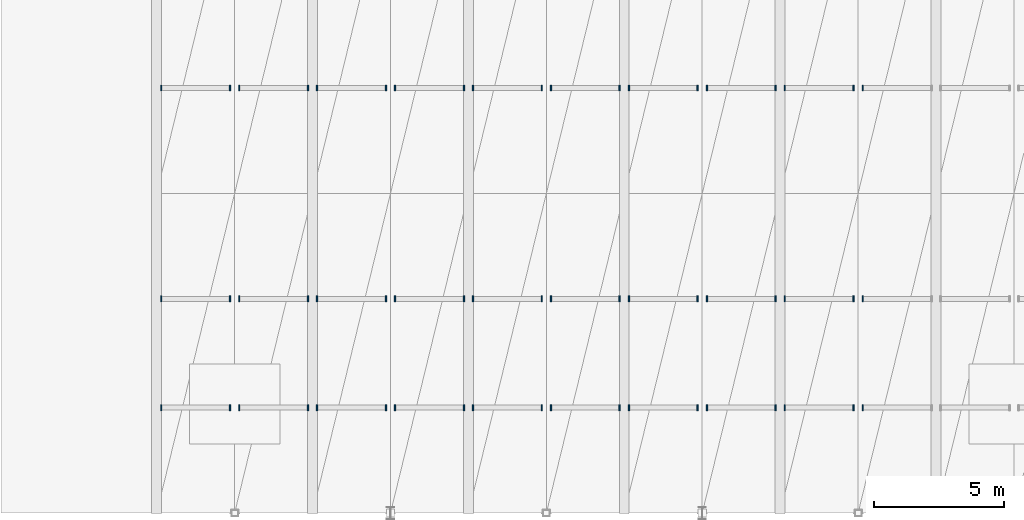
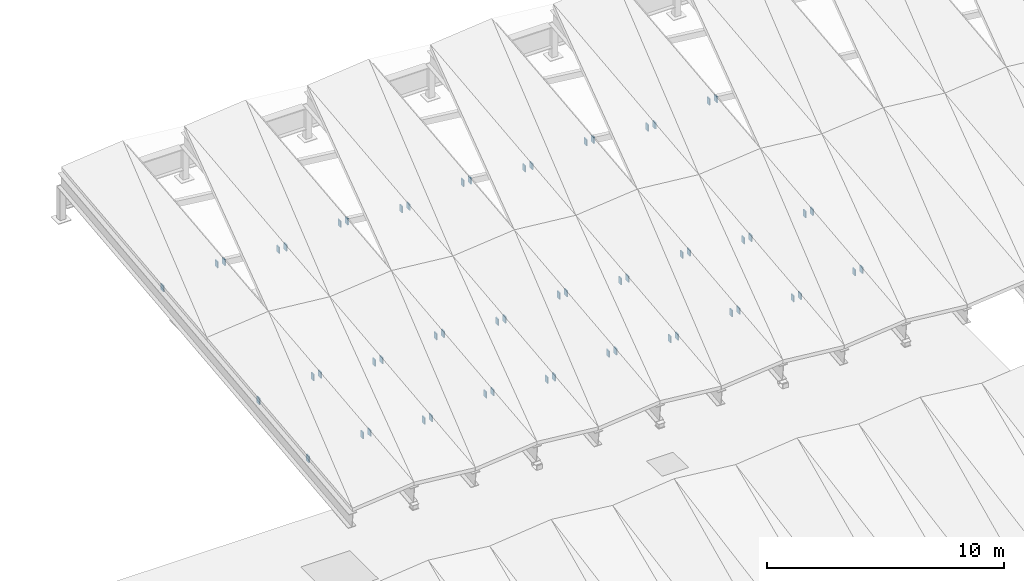
# One storey, part 48 of 52: 57 discrete accessories.
"""IFC4 building model written with IfcOpenShell, lengths in metres."""

from ifc_helpers import new_model, si_unit, direction, frame, origin, origin_2d, place, context, subcontext, project, spatial, rectangle, extrude, material, layer, layer_set, type_object, element, save


model = new_model("IFC4")

# Units and contexts
model_context = context("Model", 3, precision=1e-05, world=origin(), true_north=direction((0.0, 1.0)))
body_context = subcontext(model_context, "Body", "Model", "MODEL_VIEW")
ifc_project = project(units=[si_unit("LENGTHUNIT", "METRE"), si_unit("AREAUNIT", "SQUARE_METRE"), si_unit("VOLUMEUNIT", "CUBIC_METRE"), si_unit("PLANEANGLEUNIT", "RADIAN"), si_unit("MASSUNIT", "GRAM", prefix="KILO")], contexts=[model_context])

# Site, building, storey
site_placement = place(None, origin())
site = spatial("IfcSite", under=ifc_project, at=site_placement, CompositionType="ELEMENT")
building_placement = place(site_placement, origin())
building = spatial("IfcBuilding", under=site, at=building_placement, Name="Vaelkrest Opera House", CompositionType="ELEMENT")
storey_placement = place(building_placement, frame((0.0, 0.0, 41.39990234375)))
storey = spatial("IfcBuildingStorey", under=building, at=storey_placement, Name="ROOF", CompositionType="ELEMENT", Elevation=41.39990234375)

# Discrete accessories
ifc_material = material(Name="Steel A572 Gr50", Category="steel")
ifc_layer = layer(ifc_material, 0.320068359375)
ifc_layer_set = layer_set([ifc_layer], Name="Steel A572 Gr50")
discrete_accessory_type = type_object("IfcDiscreteAccessoryType", Name="ECP01", PredefinedType="USERDEFINED", material=ifc_layer_set)
for number, where, z_axis, x_axis, name in (
    (1, (-17.822509765625, 21.458984375, -0.109375), (0.0, 0.0, 1.0), (1.0, 0.0, 0.0), "Purlin HSS end cap plate V2-01-S1-33-W0"),
    (2, (-15.177490234375, 21.458984375, 0.189453125), (0.0, 0.0, 1.0), (1.0, 0.0, 0.0), "Purlin HSS end cap plate V2-01-S1-33-W1"),
    (3, (-14.822509765625, 21.458984375, 0.189453125), (0.0, 0.0, 1.0), (1.0, 0.0, 0.0), "Purlin HSS end cap plate V2-01-S1-33-E0"),
    (4, (-12.177490234375, 21.458984375, -0.109375), (0.0, 0.0, 1.0), (1.0, 0.0, 0.0), "Purlin HSS end cap plate V2-01-S1-33-E1"),
    (5, (-17.822509765625, 25.64111328125, 0.3486328125), (0.0, 0.0, 1.0), (1.0, 0.0, 0.0), "Purlin HSS end cap plate V2-01-S1-67-W0"),
    (6, (-15.177490234375, 25.64111328125, 0.6484375), (0.0, 0.0, 1.0), (1.0, 0.0, 0.0), "Purlin HSS end cap plate V2-01-S1-67-W1"),
    (7, (-14.822509765625, 25.64111328125, 0.6484375), (0.0, 0.0, 1.0), (1.0, 0.0, 0.0), "Purlin HSS end cap plate V2-01-S1-67-E0"),
    (8, (-12.177490234375, 25.64111328125, 0.3486328125), (0.0, 0.0, 1.0), (1.0, 0.0, 0.0), "Purlin HSS end cap plate V2-01-S1-67-E1"),
    (9, (-17.822509765625, 33.759033203125, 1.24072265625), (0.0, 0.0, 1.0), (1.0, 0.0, 0.0), "Purlin HSS end cap plate V2-01-S2-33-W0"),
    (10, (-15.177490234375, 33.759033203125, 1.53955078125), (0.0, 0.0, 1.0), (1.0, 0.0, 0.0), "Purlin HSS end cap plate V2-01-S2-33-W1"),
    (11, (-14.822509765625, 33.759033203125, 1.53955078125), (0.0, 0.0, 1.0), (1.0, 0.0, 0.0), "Purlin HSS end cap plate V2-01-S2-33-E0"),
    (12, (-12.177490234375, 33.759033203125, 1.24072265625), (0.0, 0.0, 1.0), (1.0, 0.0, 0.0), "Purlin HSS end cap plate V2-01-S2-33-E1"),
    (13, (-11.822509765625, 21.458984375, -0.109375), (0.0, 0.0, 1.0), (1.0, 0.0, 0.0), "Purlin HSS end cap plate V2-02-S1-33-W0"),
    (14, (-9.177490234375, 21.458984375, 0.189453125), (0.0, 0.0, 1.0), (1.0, 0.0, 0.0), "Purlin HSS end cap plate V2-02-S1-33-W1"),
    (15, (-8.822509765625, 21.458984375, 0.189453125), (0.0, 0.0, 1.0), (1.0, 0.0, 0.0), "Purlin HSS end cap plate V2-02-S1-33-E0"),
    (16, (-6.177490234375, 21.458984375, -0.109375), (0.0, 0.0, 1.0), (1.0, 0.0, 0.0), "Purlin HSS end cap plate V2-02-S1-33-E1"),
    (17, (-11.822509765625, 25.64111328125, 0.3486328125), (0.0, 0.0, 1.0), (1.0, 0.0, 0.0), "Purlin HSS end cap plate V2-02-S1-67-W0"),
    (18, (-9.177490234375, 25.64111328125, 0.6484375), (0.0, 0.0, 1.0), (1.0, 0.0, 0.0), "Purlin HSS end cap plate V2-02-S1-67-W1"),
    (19, (-8.822509765625, 25.64111328125, 0.6484375), (0.0, 0.0, 1.0), (1.0, 0.0, 0.0), "Purlin HSS end cap plate V2-02-S1-67-E0"),
    (20, (-6.177490234375, 25.64111328125, 0.3486328125), (0.0, 0.0, 1.0), (1.0, 0.0, 0.0), "Purlin HSS end cap plate V2-02-S1-67-E1"),
    (21, (-11.822509765625, 33.759033203125, 1.24072265625), (0.0, 0.0, 1.0), (1.0, 0.0, 0.0), "Purlin HSS end cap plate V2-02-S2-33-W0"),
    (22, (-9.177490234375, 33.759033203125, 1.53955078125), (0.0, 0.0, 1.0), (1.0, 0.0, 0.0), "Purlin HSS end cap plate V2-02-S2-33-W1"),
    (23, (-8.822509765625, 33.759033203125, 1.53955078125), (0.0, 0.0, 1.0), (1.0, 0.0, 0.0), "Purlin HSS end cap plate V2-02-S2-33-E0"),
    (24, (-6.177490234375, 33.759033203125, 1.24072265625), (0.0, 0.0, 1.0), (1.0, 0.0, 0.0), "Purlin HSS end cap plate V2-02-S2-33-E1"),
    (25, (-5.822509765625, 21.458984375, -0.109375), (0.0, 0.0, 1.0), (1.0, 0.0, 0.0), "Purlin HSS end cap plate V2-03-S1-33-W0"),
    (26, (-3.177490234375, 21.458984375, 0.189453125), (0.0, 0.0, 1.0), (1.0, 0.0, 0.0), "Purlin HSS end cap plate V2-03-S1-33-W1"),
    (27, (-2.822509765625, 21.458984375, 0.189453125), (0.0, 0.0, 1.0), (1.0, 0.0, 0.0), "Purlin HSS end cap plate V2-03-S1-33-E0"),
    (28, (-0.177490234375, 21.458984375, -0.109375), (0.0, 0.0, 1.0), (1.0, 0.0, 0.0), "Purlin HSS end cap plate V2-03-S1-33-E1"),
    (29, (-5.822509765625, 25.64111328125, 0.3486328125), (0.0, 0.0, 1.0), (1.0, 0.0, 0.0), "Purlin HSS end cap plate V2-03-S1-67-W0"),
    (30, (-3.177490234375, 25.64111328125, 0.6484375), (0.0, 0.0, 1.0), (1.0, 0.0, 0.0), "Purlin HSS end cap plate V2-03-S1-67-W1"),
    (31, (-2.822509765625, 25.64111328125, 0.6484375), (0.0, 0.0, 1.0), (1.0, 0.0, 0.0), "Purlin HSS end cap plate V2-03-S1-67-E0"),
    (32, (-0.177490234375, 25.64111328125, 0.3486328125), (0.0, 0.0, 1.0), (1.0, 0.0, 0.0), "Purlin HSS end cap plate V2-03-S1-67-E1"),
    (33, (-5.822509765625, 33.759033203125, 1.24072265625), (0.0, 0.0, 1.0), (1.0, 0.0, 0.0), "Purlin HSS end cap plate V2-03-S2-33-W0"),
    (34, (-3.177490234375, 33.759033203125, 1.53955078125), (0.0, 0.0, 1.0), (1.0, 0.0, 0.0), "Purlin HSS end cap plate V2-03-S2-33-W1"),
    (35, (-2.822509765625, 33.759033203125, 1.53955078125), (0.0, 0.0, 1.0), (1.0, 0.0, 0.0), "Purlin HSS end cap plate V2-03-S2-33-E0"),
    (36, (-0.177490234375, 33.759033203125, 1.24072265625), (0.0, 0.0, 1.0), (1.0, 0.0, 0.0), "Purlin HSS end cap plate V2-03-S2-33-E1"),
    (37, (0.177490234375, 21.458984375, -0.109375), (0.0, 0.0, 1.0), (1.0, 0.0, 0.0), "Purlin HSS end cap plate V2-04-S1-33-W0"),
    (38, (2.822509765625, 21.458984375, 0.189453125), (0.0, 0.0, 1.0), (1.0, 0.0, 0.0), "Purlin HSS end cap plate V2-04-S1-33-W1"),
    (39, (3.177490234375, 21.458984375, 0.189453125), (0.0, 0.0, 1.0), (1.0, 0.0, 0.0), "Purlin HSS end cap plate V2-04-S1-33-E0"),
    (40, (5.822509765625, 21.458984375, -0.109375), (0.0, 0.0, 1.0), (1.0, 0.0, 0.0), "Purlin HSS end cap plate V2-04-S1-33-E1"),
    (41, (0.177490234375, 25.64111328125, 0.3486328125), (0.0, 0.0, 1.0), (1.0, 0.0, 0.0), "Purlin HSS end cap plate V2-04-S1-67-W0"),
    (42, (2.822509765625, 25.64111328125, 0.6484375), (0.0, 0.0, 1.0), (1.0, 0.0, 0.0), "Purlin HSS end cap plate V2-04-S1-67-W1"),
    (43, (3.177490234375, 25.64111328125, 0.6484375), (0.0, 0.0, 1.0), (1.0, 0.0, 0.0), "Purlin HSS end cap plate V2-04-S1-67-E0"),
    (44, (5.822509765625, 25.64111328125, 0.3486328125), (0.0, 0.0, 1.0), (1.0, 0.0, 0.0), "Purlin HSS end cap plate V2-04-S1-67-E1"),
    (45, (0.177490234375, 33.759033203125, 1.24072265625), (0.0, 0.0, 1.0), (1.0, 0.0, 0.0), "Purlin HSS end cap plate V2-04-S2-33-W0"),
    (46, (2.822509765625, 33.759033203125, 1.53955078125), (0.0, 0.0, 1.0), (1.0, 0.0, 0.0), "Purlin HSS end cap plate V2-04-S2-33-W1"),
    (47, (3.177490234375, 33.759033203125, 1.53955078125), (0.0, 0.0, 1.0), (1.0, 0.0, 0.0), "Purlin HSS end cap plate V2-04-S2-33-E0"),
    (48, (5.822509765625, 33.759033203125, 1.24072265625), (0.0, 0.0, 1.0), (1.0, 0.0, 0.0), "Purlin HSS end cap plate V2-04-S2-33-E1"),
    (49, (6.177490234375, 21.458984375, -0.109375), (0.0, 0.0, 1.0), (1.0, 0.0, 0.0), "Purlin HSS end cap plate V2-05-S1-33-W0"),
    (50, (8.822509765625, 21.458984375, 0.189453125), (0.0, 0.0, 1.0), (1.0, 0.0, 0.0), "Purlin HSS end cap plate V2-05-S1-33-W1"),
    (51, (9.177490234375, 21.458984375, 0.189453125), (0.0, 0.0, 1.0), (1.0, 0.0, 0.0), "Purlin HSS end cap plate V2-05-S1-33-E0"),
    (52, (6.177490234375, 25.64111328125, 0.3486328125), (0.0, 0.0, 1.0), (1.0, 0.0, 0.0), "Purlin HSS end cap plate V2-05-S1-67-W0"),
    (53, (8.822509765625, 25.64111328125, 0.6484375), (0.0, 0.0, 1.0), (1.0, 0.0, 0.0), "Purlin HSS end cap plate V2-05-S1-67-W1"),
    (54, (9.177490234375, 25.64111328125, 0.6484375), (0.0, 0.0, 1.0), (1.0, 0.0, 0.0), "Purlin HSS end cap plate V2-05-S1-67-E0"),
    (55, (6.177490234375, 33.759033203125, 1.24072265625), (0.0, 0.0, 1.0), (1.0, 0.0, 0.0), "Purlin HSS end cap plate V2-05-S2-33-W0"),
    (56, (8.822509765625, 33.759033203125, 1.53955078125), (0.0, 0.0, 1.0), (1.0, 0.0, 0.0), "Purlin HSS end cap plate V2-05-S2-33-W1"),
    (57, (9.177490234375, 33.759033203125, 1.53955078125), (0.0, 0.0, 1.0), (1.0, 0.0, 0.0), "Purlin HSS end cap plate V2-05-S2-33-E0"),
):
    element("IfcDiscreteAccessory", number, at=place(storey_placement, frame(where, z_axis=z_axis, x_axis=x_axis)), inside=storey, type_object=discrete_accessory_type, Name=name, ObjectType="CAP PLATE", PredefinedType="USERDEFINED", context=body_context, shape_type="SweptSolid", body=[
        extrude(rectangle(XDim=0.054931640625, YDim=0.22705078125, at=origin_2d()), origin(), (0.0, 0.0, 1.0), 0.321044921875),
    ])

save(model, "model.ifc")
